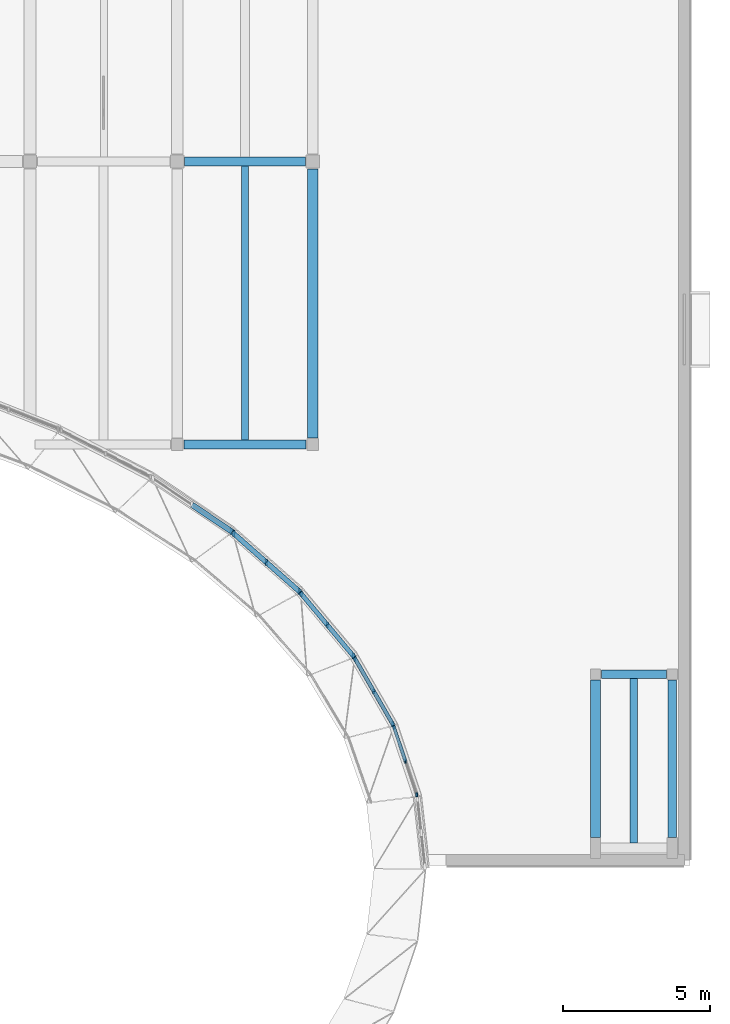
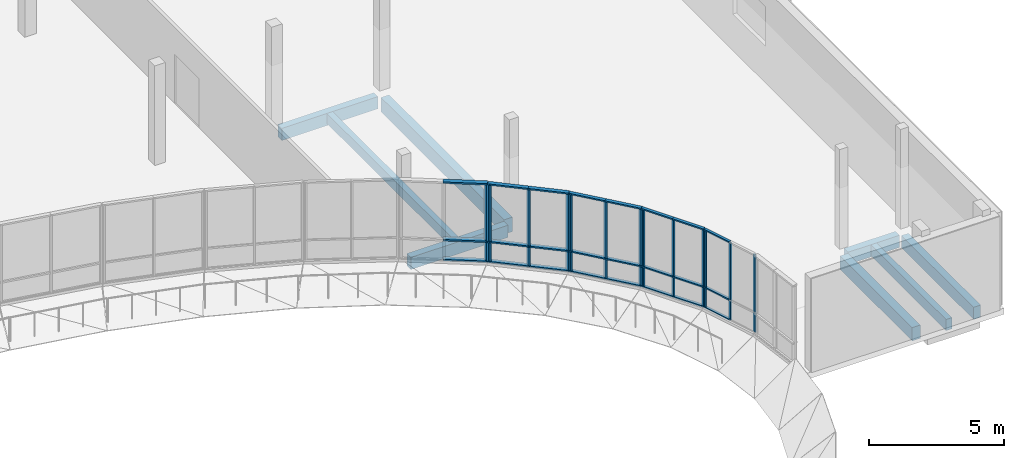
# One storey, part 16 of 41: 37 members, 8 beams, 5 elements without a shape of their own.
"""IFC4 building model written with IfcOpenShell, lengths in metres."""

from ifc_helpers import new_model, si_unit, direction, frame, origin, origin_2d, place, context, subcontext, project, spatial, rectangle, extrude, material, material_profile, profile_set, type_object, element, aggregate, save


model = new_model("IFC4")

# Units and contexts
model_context = context("Model", 3, precision=1e-05, world=origin(), true_north=direction((0.0, 1.0)))
body_context = subcontext(model_context, "Body", "Model", "MODEL_VIEW")
ifc_project = project(units=[si_unit("LENGTHUNIT", "METRE"), si_unit("AREAUNIT", "SQUARE_METRE"), si_unit("VOLUMEUNIT", "CUBIC_METRE"), si_unit("PLANEANGLEUNIT", "RADIAN"), si_unit("MASSUNIT", "GRAM", prefix="KILO")], contexts=[model_context])

# Site, building, storey
site_placement = place(None, origin())
site = spatial("IfcSite", under=ifc_project, at=site_placement, CompositionType="ELEMENT")
building_placement = place(site_placement, origin())
building = spatial("IfcBuilding", under=site, at=building_placement, Name="Mzevani Central Library", CompositionType="ELEMENT")
storey_placement = place(building_placement, frame((0.0, 0.0, 13.800048828125)))
storey = spatial("IfcBuildingStorey", under=building, at=storey_placement, Name="L03", CompositionType="ELEMENT", Elevation=13.800048828125)

# Beams
ifc_material_1 = material(Name="Concrete C35/45", Category="concrete")
ifc_material_profile_1 = material_profile(ifc_material_1, rectangle(XDim=0.300048828125, YDim=0.550048828125, at=origin_2d()), Name="RC B300x550")
ifc_profile_set_1 = profile_set([ifc_material_profile_1], Name="Concrete C35/45")
beam_type_1 = type_object("IfcBeamType", Name="Beam RC 300x550", PredefinedType="BEAM", material=ifc_profile_set_1)
beam_1_placement = place(storey_placement, frame((121.800048828125, 82.60009765625, -0.554931640625), z_axis=(1.0, 0.0, 0.0), x_axis=(0.0, 1.0, 0.0)))
element("IfcBeam", 1, at=beam_1_placement, inside=storey, type_object=beam_type_1, Name="L03 V3 Girder B-02 (633)", PredefinedType="BEAM", context=body_context, shape_type="SweptSolid", body=[
    extrude(rectangle(XDim=0.300048828125, YDim=0.550048828125, at=origin_2d()), origin(), (0.0, 0.0, 1.0), 2.199951171875),
])
beam_2_placement = place(storey_placement, frame((107.625, 90.39990234375, -0.554931640625), z_axis=(1.0, 0.0, 0.0), x_axis=(0.0, 1.0, 0.0)))
element("IfcBeam", 2, at=beam_2_placement, inside=storey, type_object=beam_type_1, Name="L03 V3 Girder B-02 (637)", PredefinedType="BEAM", context=body_context, shape_type="SweptSolid", body=[
    extrude(rectangle(XDim=0.300048828125, YDim=0.550048828125, at=origin_2d()), origin(), (0.0, 0.0, 1.0), 4.14990234375),
])
beam_3_placement = place(storey_placement, frame((107.64990234375, 100.0, -0.554931640625), z_axis=(1.0, 0.0, 0.0), x_axis=(0.0, 1.0, 0.0)))
element("IfcBeam", 3, at=beam_3_placement, inside=storey, type_object=beam_type_1, Name="L03 V3 Girder B-02 (645)", PredefinedType="BEAM", context=body_context, shape_type="SweptSolid", body=[
    extrude(rectangle(XDim=0.300048828125, YDim=0.550048828125, at=origin_2d()), origin(), (0.0, 0.0, 1.0), 4.10009765625),
])
beam_4_placement = place(storey_placement, frame((124.199951171875, 77.050048828125, -0.554931640625), z_axis=(0.0, 1.0, 0.0), x_axis=(-1.0, 0.0, 0.0)))
element("IfcBeam", 4, at=beam_4_placement, inside=storey, type_object=beam_type_1, Name="L03 V3 Frame Beam B-02 (689)", PredefinedType="BEAM", context=body_context, shape_type="SweptSolid", body=[
    extrude(rectangle(XDim=0.300048828125, YDim=0.550048828125, at=origin_2d()), origin(), (0.0, 0.0, 1.0), 5.349853515625),
])
ifc_material_profile_2 = material_profile(ifc_material_1, rectangle(XDim=0.35009765625, YDim=0.60009765625, at=origin_2d()), Name="RC B350x600")
ifc_profile_set_2 = profile_set([ifc_material_profile_2], Name="Concrete C35/45")
beam_type_2 = type_object("IfcBeamType", Name="Beam RC 350x600", PredefinedType="BEAM", material=ifc_profile_set_2)
beam_5_placement = place(storey_placement, frame((121.60009765625, 77.050048828125, -0.580078125), z_axis=(0.0, 1.0, 0.0), x_axis=(-1.0, 0.0, 0.0)))
element("IfcBeam", 5, at=beam_5_placement, inside=storey, type_object=beam_type_2, Name="L03 V3 Frame Beam B-04 (687)", PredefinedType="BEAM", context=body_context, shape_type="SweptSolid", body=[
    extrude(rectangle(XDim=0.35009765625, YDim=0.60009765625, at=origin_2d()), origin(), (0.0, 0.0, 1.0), 5.349853515625),
])
ifc_material_profile_3 = material_profile(ifc_material_1, rectangle(XDim=0.35009765625, YDim=0.64990234375, at=origin_2d()), Name="RC B350x650")
ifc_profile_set_3 = profile_set([ifc_material_profile_3], Name="Concrete C35/45")
beam_type_3 = type_object("IfcBeamType", Name="Beam RC 350x650", PredefinedType="BEAM", material=ifc_profile_set_3)
beam_6_placement = place(storey_placement, frame((112.0, 90.625, -0.60498046875), z_axis=(0.0, 1.0, 0.0), x_axis=(-1.0, 0.0, 0.0)))
element("IfcBeam", 6, at=beam_6_placement, inside=storey, type_object=beam_type_3, Name="L03 V3 Frame Beam B-05 (684)", PredefinedType="BEAM", context=body_context, shape_type="SweptSolid", body=[
    extrude(rectangle(XDim=0.35009765625, YDim=0.64990234375, at=origin_2d()), origin(), (0.0, 0.0, 1.0), 9.125),
])

# Curtain wall, members
ifc_material_2 = material(Name="Thermally broken aluminium and Low-E triple glazing", Category="aluminium")
curtain_wall_type_1 = type_object("IfcCurtainWallType", Name="Elliptical Court Unitised Curtain Wall", PredefinedType="NOTDEFINED", material=ifc_material_2)
curtain_wall_1_placement = place(storey_placement, origin())
curtain_wall_1 = element("IfcCurtainWall", 7, at=curtain_wall_1_placement, inside=storey, type_object=curtain_wall_type_1, Name="L03 Elliptical Court Curtain Wall 2", PredefinedType="NOTDEFINED")
ifc_material_3 = material(Name="Thermally broken aluminium AW-6060", Category="aluminium")
ifc_material_profile_4 = material_profile(ifc_material_3, rectangle(XDim=0.06005859375, YDim=0.139892578125, at=origin_2d()), Name="ALU M60x140")
ifc_profile_set_4 = profile_set([ifc_material_profile_4], Name="Thermally broken aluminium AW-6060")
member_type_1 = type_object("IfcMemberType", Name="CW Mullion 60x140", PredefinedType="MULLION", material=ifc_profile_set_4)
member_1_placement = place(storey_placement, frame((115.5322265625, 78.50244140625, 0.719970703125), z_axis=(0.0, 0.0, 1.0), x_axis=(1.0, 0.0, 0.0)))
member_1 = element("IfcMember", 8, at=member_1_placement, type_object=member_type_1, Name="L03 Elliptical Court Curtain Wall 2 Mullion 1", PredefinedType="MULLION", context=body_context, shape_type="SweptSolid", body=[
    extrude(rectangle(XDim=0.06005859375, YDim=0.139892578125, at=origin_2d()), origin(), (0.0, 0.0, 1.0), 3.5),
])
member_2_placement = place(storey_placement, frame((115.14501953125, 79.64892578125, 0.719970703125), z_axis=(0.0, 0.0, 1.0), x_axis=(1.0, 0.0, 0.0)))
member_2 = element("IfcMember", 9, at=member_2_placement, type_object=member_type_1, Name="L03 Elliptical Court Curtain Wall 2 Mullion 2", PredefinedType="MULLION", context=body_context, shape_type="SweptSolid", body=[
    extrude(rectangle(XDim=0.06005859375, YDim=0.139892578125, at=origin_2d()), origin(), (0.0, 0.0, 1.0), 3.5),
])
member_3_placement = place(storey_placement, frame((114.7578125, 80.79541015625, 0.719970703125), z_axis=(0.0, 0.0, 1.0), x_axis=(1.0, 0.0, 0.0)))
member_3 = element("IfcMember", 10, at=member_3_placement, type_object=member_type_1, Name="L03 Elliptical Court Curtain Wall 2 Mullion 3", PredefinedType="MULLION", context=body_context, shape_type="SweptSolid", body=[
    extrude(rectangle(XDim=0.06005859375, YDim=0.139892578125, at=origin_2d()), origin(), (0.0, 0.0, 1.0), 3.5),
])

curtain_wall_2_placement = place(storey_placement, origin())
curtain_wall_2 = element("IfcCurtainWall", 11, at=curtain_wall_2_placement, inside=storey, type_object=curtain_wall_type_1, Name="L03 Elliptical Court Curtain Wall 3", PredefinedType="NOTDEFINED")
ifc_material_profile_5 = material_profile(ifc_material_3, rectangle(XDim=0.06005859375, YDim=0.159912109375, at=origin_2d()), Name="ALU M60x160")
ifc_profile_set_5 = profile_set([ifc_material_profile_5], Name="Thermally broken aluminium AW-6060")
member_type_2 = type_object("IfcMemberType", Name="CW Mullion 60x160", PredefinedType="MULLION", material=ifc_profile_set_5)
member_4_placement = place(storey_placement, frame((114.714111328125, 80.90380859375, 0.719970703125), z_axis=(0.0, 0.0, 1.0), x_axis=(1.0, 0.0, 0.0)))
member_4 = element("IfcMember", 12, at=member_4_placement, type_object=member_type_2, Name="L03 Elliptical Court Curtain Wall 3 Mullion 1", PredefinedType="MULLION", context=body_context, shape_type="SweptSolid", body=[
    extrude(rectangle(XDim=0.06005859375, YDim=0.159912109375, at=origin_2d()), origin(), (0.0, 0.0, 1.0), 3.5),
])
member_5_placement = place(storey_placement, frame((114.07470703125, 82.01318359375, 0.719970703125), z_axis=(0.0, 0.0, 1.0), x_axis=(1.0, 0.0, 0.0)))
member_5 = element("IfcMember", 13, at=member_5_placement, type_object=member_type_2, Name="L03 Elliptical Court Curtain Wall 3 Mullion 2", PredefinedType="MULLION", context=body_context, shape_type="SweptSolid", body=[
    extrude(rectangle(XDim=0.06005859375, YDim=0.159912109375, at=origin_2d()), origin(), (0.0, 0.0, 1.0), 3.5),
])
member_6_placement = place(storey_placement, frame((113.435302734375, 83.12255859375, 0.719970703125), z_axis=(0.0, 0.0, 1.0), x_axis=(1.0, 0.0, 0.0)))
member_6 = element("IfcMember", 14, at=member_6_placement, type_object=member_type_2, Name="L03 Elliptical Court Curtain Wall 3 Mullion 3", PredefinedType="MULLION", context=body_context, shape_type="SweptSolid", body=[
    extrude(rectangle(XDim=0.06005859375, YDim=0.159912109375, at=origin_2d()), origin(), (0.0, 0.0, 1.0), 3.5),
])

curtain_wall_type_2 = type_object("IfcCurtainWallType", Name="Reading Hall Northlight Curtain Wall", PredefinedType="NOTDEFINED", material=ifc_material_2)
curtain_wall_3_placement = place(storey_placement, origin())
curtain_wall_3 = element("IfcCurtainWall", 15, at=curtain_wall_3_placement, inside=storey, type_object=curtain_wall_type_2, Name="L03 Elliptical Court Curtain Wall 4", PredefinedType="NOTDEFINED")
ifc_material_profile_6 = material_profile(ifc_material_3, rectangle(XDim=0.06005859375, YDim=0.179931640625, at=origin_2d()), Name="ALU M60x180")
ifc_profile_set_6 = profile_set([ifc_material_profile_6], Name="Thermally broken aluminium AW-6060")
member_type_3 = type_object("IfcMemberType", Name="CW Mullion 60x180", PredefinedType="MULLION", material=ifc_profile_set_6)
member_7_placement = place(storey_placement, frame((113.373779296875, 83.222412109375, 0.719970703125), z_axis=(0.0, 0.0, 1.0), x_axis=(1.0, 0.0, 0.0)))
member_7 = element("IfcMember", 16, at=member_7_placement, type_object=member_type_3, Name="L03 Elliptical Court Curtain Wall 4 Mullion 1", PredefinedType="MULLION", context=body_context, shape_type="SweptSolid", body=[
    extrude(rectangle(XDim=0.06005859375, YDim=0.179931640625, at=origin_2d()), origin(), (0.0, 0.0, 1.0), 3.5),
])
member_8_placement = place(storey_placement, frame((112.49169921875, 84.275634765625, 0.719970703125), z_axis=(0.0, 0.0, 1.0), x_axis=(1.0, 0.0, 0.0)))
member_8 = element("IfcMember", 17, at=member_8_placement, type_object=member_type_3, Name="L03 Elliptical Court Curtain Wall 4 Mullion 2", PredefinedType="MULLION", context=body_context, shape_type="SweptSolid", body=[
    extrude(rectangle(XDim=0.06005859375, YDim=0.179931640625, at=origin_2d()), origin(), (0.0, 0.0, 1.0), 3.5),
])
member_9_placement = place(storey_placement, frame((111.60986328125, 85.3291015625, 0.719970703125), z_axis=(0.0, 0.0, 1.0), x_axis=(1.0, 0.0, 0.0)))
member_9 = element("IfcMember", 18, at=member_9_placement, type_object=member_type_3, Name="L03 Elliptical Court Curtain Wall 4 Mullion 3", PredefinedType="MULLION", context=body_context, shape_type="SweptSolid", body=[
    extrude(rectangle(XDim=0.06005859375, YDim=0.179931640625, at=origin_2d()), origin(), (0.0, 0.0, 1.0), 3.5),
])

curtain_wall_4_placement = place(storey_placement, origin())
curtain_wall_4 = element("IfcCurtainWall", 19, at=curtain_wall_4_placement, inside=storey, type_object=curtain_wall_type_1, Name="L03 Elliptical Court Curtain Wall 5", PredefinedType="NOTDEFINED")
ifc_material_profile_7 = material_profile(ifc_material_3, rectangle(XDim=0.06494140625, YDim=0.199951171875, at=origin_2d()), Name="ALU M65x200")
ifc_profile_set_7 = profile_set([ifc_material_profile_7], Name="Thermally broken aluminium AW-6060")
member_type_4 = type_object("IfcMemberType", Name="CW Mullion 65x200", PredefinedType="MULLION", material=ifc_profile_set_7)
member_10_placement = place(storey_placement, frame((111.53369140625, 85.419677734375, 0.719970703125), z_axis=(0.0, 0.0, 1.0), x_axis=(1.0, 0.0, 0.0)))
member_10 = element("IfcMember", 20, at=member_10_placement, type_object=member_type_4, Name="L03 Elliptical Court Curtain Wall 5 Mullion 1", PredefinedType="MULLION", context=body_context, shape_type="SweptSolid", body=[
    extrude(rectangle(XDim=0.06494140625, YDim=0.199951171875, at=origin_2d()), origin(), (0.0, 0.0, 1.0), 3.5),
])
member_11_placement = place(storey_placement, frame((110.4228515625, 86.39892578125, 0.719970703125), z_axis=(0.0, 0.0, 1.0), x_axis=(1.0, 0.0, 0.0)))
member_11 = element("IfcMember", 21, at=member_11_placement, type_object=member_type_4, Name="L03 Elliptical Court Curtain Wall 5 Mullion 2", PredefinedType="MULLION", context=body_context, shape_type="SweptSolid", body=[
    extrude(rectangle(XDim=0.06494140625, YDim=0.199951171875, at=origin_2d()), origin(), (0.0, 0.0, 1.0), 3.5),
])
member_12_placement = place(storey_placement, frame((109.312255859375, 87.3779296875, 0.719970703125), z_axis=(0.0, 0.0, 1.0), x_axis=(1.0, 0.0, 0.0)))
member_12 = element("IfcMember", 22, at=member_12_placement, type_object=member_type_4, Name="L03 Elliptical Court Curtain Wall 5 Mullion 3", PredefinedType="MULLION", context=body_context, shape_type="SweptSolid", body=[
    extrude(rectangle(XDim=0.06494140625, YDim=0.199951171875, at=origin_2d()), origin(), (0.0, 0.0, 1.0), 3.5),
])

# Curtain wall, member
curtain_wall_5_placement = place(storey_placement, origin())
curtain_wall_5 = element("IfcCurtainWall", 23, at=curtain_wall_5_placement, inside=storey, type_object=curtain_wall_type_1, Name="L03 Elliptical Court Curtain Wall 6", PredefinedType="NOTDEFINED")
ifc_material_profile_8 = material_profile(ifc_material_3, rectangle(XDim=0.070068359375, YDim=0.219970703125, at=origin_2d()), Name="ALU M70x220")
ifc_profile_set_8 = profile_set([ifc_material_profile_8], Name="Thermally broken aluminium AW-6060")
member_type_5 = type_object("IfcMemberType", Name="CW Mullion 70x220", PredefinedType="MULLION", material=ifc_profile_set_8)
member_13_placement = place(storey_placement, frame((109.223876953125, 87.459228515625, 0.719970703125), z_axis=(0.0, 0.0, 1.0), x_axis=(1.0, 0.0, 0.0)))
member_13 = element("IfcMember", 24, at=member_13_placement, type_object=member_type_5, Name="L03 Elliptical Court Curtain Wall 6 Mullion 1", PredefinedType="MULLION", context=body_context, shape_type="SweptSolid", body=[
    extrude(rectangle(XDim=0.070068359375, YDim=0.219970703125, at=origin_2d()), origin(), (0.0, 0.0, 1.0), 3.5),
])

# Member
ifc_material_profile_9 = material_profile(ifc_material_3, rectangle(XDim=0.110107421875, YDim=0.06005859375, at=origin_2d()), Name="ALU T60x110")
ifc_profile_set_9 = profile_set([ifc_material_profile_9], Name="Thermally broken aluminium AW-6060")
member_type_6 = type_object("IfcMemberType", Name="CW Transom 60x110", PredefinedType="USERDEFINED", material=ifc_profile_set_9)
member_14_placement = place(storey_placement, frame((115.14501953125, 79.64892578125, 0.719970703125), z_axis=(-0.320061266141, 0.947396847111, 0.0), x_axis=(-0.947396847111, -0.320061266141, 0.0)))
member_14 = element("IfcMember", 25, at=member_14_placement, type_object=member_type_6, Name="L03 Elliptical Court Curtain Wall 2 Transom 4", ObjectType="TRANSOM", PredefinedType="USERDEFINED", context=body_context, shape_type="SweptSolid", body=[
    extrude(rectangle(XDim=0.110107421875, YDim=0.06005859375, at=origin_2d()), origin(), (0.0, 0.0, 1.0), 1.26025390625),
])

member_15_placement = place(storey_placement, frame((115.14501953125, 79.64892578125, 1.619873046875), z_axis=(-0.320061266141, 0.947396847111, 0.0), x_axis=(-0.947396847111, -0.320061266141, 0.0)))
member_15 = element("IfcMember", 26, at=member_15_placement, type_object=member_type_6, Name="L03 Elliptical Court Curtain Wall 2 Transom 5", ObjectType="TRANSOM", PredefinedType="USERDEFINED", context=body_context, shape_type="SweptSolid", body=[
    extrude(rectangle(XDim=0.110107421875, YDim=0.06005859375, at=origin_2d()), origin(), (0.0, 0.0, 1.0), 1.26025390625),
])

member_16_placement = place(storey_placement, frame((115.14501953125, 79.64892578125, 4.219970703125), z_axis=(-0.320061266141, 0.947396847111, 0.0), x_axis=(-0.947396847111, -0.320061266141, 0.0)))
member_16 = element("IfcMember", 27, at=member_16_placement, type_object=member_type_6, Name="L03 Elliptical Court Curtain Wall 2 Transom 6", ObjectType="TRANSOM", PredefinedType="USERDEFINED", context=body_context, shape_type="SweptSolid", body=[
    extrude(rectangle(XDim=0.110107421875, YDim=0.06005859375, at=origin_2d()), origin(), (0.0, 0.0, 1.0), 1.26025390625),
])

aggregate(curtain_wall_1, [member_1, member_2, member_3, member_14, member_15, member_16])

ifc_material_profile_10 = material_profile(ifc_material_3, rectangle(XDim=0.1298828125, YDim=0.06005859375, at=origin_2d()), Name="ALU T60x130")
ifc_profile_set_10 = profile_set([ifc_material_profile_10], Name="Thermally broken aluminium AW-6060")
member_type_7 = type_object("IfcMemberType", Name="CW Transom 60x130", PredefinedType="USERDEFINED", material=ifc_profile_set_10)
member_17_placement = place(storey_placement, frame((114.739013671875, 80.8603515625, 0.719970703125), z_axis=(-0.499277611559, 0.866442073422, 0.0), x_axis=(-0.866442073422, -0.499277611559, 0.0)))
member_17 = element("IfcMember", 28, at=member_17_placement, type_object=member_type_7, Name="L03 Elliptical Court Curtain Wall 3 Transom 1", ObjectType="TRANSOM", PredefinedType="USERDEFINED", context=body_context, shape_type="SweptSolid", body=[
    extrude(rectangle(XDim=0.1298828125, YDim=0.06005859375, at=origin_2d()), origin(), (0.0, 0.0, 1.0), 1.33056640625),
])

member_18_placement = place(storey_placement, frame((114.739013671875, 80.8603515625, 1.619873046875), z_axis=(-0.499277611559, 0.866442073422, 0.0), x_axis=(-0.866442073422, -0.499277611559, 0.0)))
member_18 = element("IfcMember", 29, at=member_18_placement, type_object=member_type_7, Name="L03 Elliptical Court Curtain Wall 3 Transom 2", ObjectType="TRANSOM", PredefinedType="USERDEFINED", context=body_context, shape_type="SweptSolid", body=[
    extrude(rectangle(XDim=0.1298828125, YDim=0.06005859375, at=origin_2d()), origin(), (0.0, 0.0, 1.0), 1.33056640625),
])

member_19_placement = place(storey_placement, frame((114.739013671875, 80.8603515625, 4.219970703125), z_axis=(-0.499277611559, 0.866442073422, 0.0), x_axis=(-0.866442073422, -0.499277611559, 0.0)))
member_19 = element("IfcMember", 30, at=member_19_placement, type_object=member_type_7, Name="L03 Elliptical Court Curtain Wall 3 Transom 3", ObjectType="TRANSOM", PredefinedType="USERDEFINED", context=body_context, shape_type="SweptSolid", body=[
    extrude(rectangle(XDim=0.1298828125, YDim=0.06005859375, at=origin_2d()), origin(), (0.0, 0.0, 1.0), 1.33056640625),
])

member_20_placement = place(storey_placement, frame((114.07470703125, 82.01318359375, 0.719970703125), z_axis=(-0.499356999175, 0.866396322346, 0.0), x_axis=(-0.866396322346, -0.499356999175, 0.0)))
member_20 = element("IfcMember", 31, at=member_20_placement, type_object=member_type_7, Name="L03 Elliptical Court Curtain Wall 3 Transom 4", ObjectType="TRANSOM", PredefinedType="USERDEFINED", context=body_context, shape_type="SweptSolid", body=[
    extrude(rectangle(XDim=0.1298828125, YDim=0.06005859375, at=origin_2d()), origin(), (0.0, 0.0, 1.0), 1.330322265625),
])

member_21_placement = place(storey_placement, frame((114.07470703125, 82.01318359375, 1.619873046875), z_axis=(-0.499356999175, 0.866396322346, 0.0), x_axis=(-0.866396322346, -0.499356999175, 0.0)))
member_21 = element("IfcMember", 32, at=member_21_placement, type_object=member_type_7, Name="L03 Elliptical Court Curtain Wall 3 Transom 5", ObjectType="TRANSOM", PredefinedType="USERDEFINED", context=body_context, shape_type="SweptSolid", body=[
    extrude(rectangle(XDim=0.1298828125, YDim=0.06005859375, at=origin_2d()), origin(), (0.0, 0.0, 1.0), 1.330322265625),
])

member_22_placement = place(storey_placement, frame((114.07470703125, 82.01318359375, 4.219970703125), z_axis=(-0.499356999175, 0.866396322346, 0.0), x_axis=(-0.866396322346, -0.499356999175, 0.0)))
member_22 = element("IfcMember", 33, at=member_22_placement, type_object=member_type_7, Name="L03 Elliptical Court Curtain Wall 3 Transom 6", ObjectType="TRANSOM", PredefinedType="USERDEFINED", context=body_context, shape_type="SweptSolid", body=[
    extrude(rectangle(XDim=0.1298828125, YDim=0.06005859375, at=origin_2d()), origin(), (0.0, 0.0, 1.0), 1.330322265625),
])

aggregate(curtain_wall_2, [member_4, member_5, member_6, member_17, member_18, member_19, member_20, member_21, member_22])

ifc_material_profile_11 = material_profile(ifc_material_3, rectangle(XDim=0.14990234375, YDim=0.06005859375, at=origin_2d()), Name="ALU T60x150")
ifc_profile_set_11 = profile_set([ifc_material_profile_11], Name="Thermally broken aluminium AW-6060")
member_type_8 = type_object("IfcMemberType", Name="CW Transom 60x150", PredefinedType="USERDEFINED", material=ifc_profile_set_11)
member_23_placement = place(storey_placement, frame((113.406005859375, 83.18408203125, 0.719970703125), z_axis=(-0.642121837535, 0.766602599631, 0.0), x_axis=(-0.766602599631, -0.642121837535, 0.0)))
member_23 = element("IfcMember", 34, at=member_23_placement, type_object=member_type_8, Name="L03 Elliptical Court Curtain Wall 4 Transom 1", ObjectType="TRANSOM", PredefinedType="USERDEFINED", context=body_context, shape_type="SweptSolid", body=[
    extrude(rectangle(XDim=0.14990234375, YDim=0.06005859375, at=origin_2d()), origin(), (0.0, 0.0, 1.0), 1.423828125),
])

member_24_placement = place(storey_placement, frame((113.406005859375, 83.18408203125, 1.619873046875), z_axis=(-0.642121837535, 0.766602599631, 0.0), x_axis=(-0.766602599631, -0.642121837535, 0.0)))
member_24 = element("IfcMember", 35, at=member_24_placement, type_object=member_type_8, Name="L03 Elliptical Court Curtain Wall 4 Transom 2", ObjectType="TRANSOM", PredefinedType="USERDEFINED", context=body_context, shape_type="SweptSolid", body=[
    extrude(rectangle(XDim=0.14990234375, YDim=0.06005859375, at=origin_2d()), origin(), (0.0, 0.0, 1.0), 1.423828125),
])

member_25_placement = place(storey_placement, frame((113.406005859375, 83.18408203125, 4.219970703125), z_axis=(-0.642121837535, 0.766602599631, 0.0), x_axis=(-0.766602599631, -0.642121837535, 0.0)))
member_25 = element("IfcMember", 36, at=member_25_placement, type_object=member_type_8, Name="L03 Elliptical Court Curtain Wall 4 Transom 3", ObjectType="TRANSOM", PredefinedType="USERDEFINED", context=body_context, shape_type="SweptSolid", body=[
    extrude(rectangle(XDim=0.14990234375, YDim=0.06005859375, at=origin_2d()), origin(), (0.0, 0.0, 1.0), 1.423828125),
])

member_26_placement = place(storey_placement, frame((112.49169921875, 84.275634765625, 0.719970703125), z_axis=(-0.641936656459, 0.766757672993, 0.0), x_axis=(-0.766757672993, -0.641936656459, 0.0)))
member_26 = element("IfcMember", 37, at=member_26_placement, type_object=member_type_8, Name="L03 Elliptical Court Curtain Wall 4 Transom 4", ObjectType="TRANSOM", PredefinedType="USERDEFINED", context=body_context, shape_type="SweptSolid", body=[
    extrude(rectangle(XDim=0.14990234375, YDim=0.06005859375, at=origin_2d()), origin(), (0.0, 0.0, 1.0), 1.423828125),
])

member_27_placement = place(storey_placement, frame((112.49169921875, 84.275634765625, 1.619873046875), z_axis=(-0.641936656459, 0.766757672993, 0.0), x_axis=(-0.766757672993, -0.641936656459, 0.0)))
member_27 = element("IfcMember", 38, at=member_27_placement, type_object=member_type_8, Name="L03 Elliptical Court Curtain Wall 4 Transom 5", ObjectType="TRANSOM", PredefinedType="USERDEFINED", context=body_context, shape_type="SweptSolid", body=[
    extrude(rectangle(XDim=0.14990234375, YDim=0.06005859375, at=origin_2d()), origin(), (0.0, 0.0, 1.0), 1.423828125),
])

member_28_placement = place(storey_placement, frame((112.49169921875, 84.275634765625, 4.219970703125), z_axis=(-0.641936656459, 0.766757672993, 0.0), x_axis=(-0.766757672993, -0.641936656459, 0.0)))
member_28 = element("IfcMember", 39, at=member_28_placement, type_object=member_type_8, Name="L03 Elliptical Court Curtain Wall 4 Transom 6", ObjectType="TRANSOM", PredefinedType="USERDEFINED", context=body_context, shape_type="SweptSolid", body=[
    extrude(rectangle(XDim=0.14990234375, YDim=0.06005859375, at=origin_2d()), origin(), (0.0, 0.0, 1.0), 1.423828125),
])

aggregate(curtain_wall_3, [member_7, member_8, member_9, member_23, member_24, member_25, member_26, member_27, member_28])

ifc_material_profile_12 = material_profile(ifc_material_3, rectangle(XDim=0.169921875, YDim=0.06494140625, at=origin_2d()), Name="ALU T65x170")
ifc_profile_set_12 = profile_set([ifc_material_profile_12], Name="Thermally broken aluminium AW-6060")
member_type_9 = type_object("IfcMemberType", Name="CW Transom 65x170", PredefinedType="USERDEFINED", material=ifc_profile_set_12)
member_29_placement = place(storey_placement, frame((111.571044921875, 85.38671875, 0.719970703125), z_axis=(-0.750131026865, 0.661289227596, 0.0), x_axis=(-0.661289227596, -0.750131026865, 0.0)))
member_29 = element("IfcMember", 40, at=member_29_placement, type_object=member_type_9, Name="L03 Elliptical Court Curtain Wall 5 Transom 1", ObjectType="TRANSOM", PredefinedType="USERDEFINED", context=body_context, shape_type="SweptSolid", body=[
    extrude(rectangle(XDim=0.169921875, YDim=0.06494140625, at=origin_2d()), origin(), (0.0, 0.0, 1.0), 1.53076171875),
])

member_30_placement = place(storey_placement, frame((111.571044921875, 85.38671875, 1.619873046875), z_axis=(-0.750131026865, 0.661289227596, 0.0), x_axis=(-0.661289227596, -0.750131026865, 0.0)))
member_30 = element("IfcMember", 41, at=member_30_placement, type_object=member_type_9, Name="L03 Elliptical Court Curtain Wall 5 Transom 2", ObjectType="TRANSOM", PredefinedType="USERDEFINED", context=body_context, shape_type="SweptSolid", body=[
    extrude(rectangle(XDim=0.169921875, YDim=0.06494140625, at=origin_2d()), origin(), (0.0, 0.0, 1.0), 1.53076171875),
])

member_31_placement = place(storey_placement, frame((111.571044921875, 85.38671875, 4.219970703125), z_axis=(-0.750131026865, 0.661289227596, 0.0), x_axis=(-0.661289227596, -0.750131026865, 0.0)))
member_31 = element("IfcMember", 42, at=member_31_placement, type_object=member_type_9, Name="L03 Elliptical Court Curtain Wall 5 Transom 3", ObjectType="TRANSOM", PredefinedType="USERDEFINED", context=body_context, shape_type="SweptSolid", body=[
    extrude(rectangle(XDim=0.169921875, YDim=0.06494140625, at=origin_2d()), origin(), (0.0, 0.0, 1.0), 1.53076171875),
])

member_32_placement = place(storey_placement, frame((110.4228515625, 86.39892578125, 0.719970703125), z_axis=(-0.750210150651, 0.661199462991, 0.0), x_axis=(-0.661199462991, -0.750210150651, 0.0)))
member_32 = element("IfcMember", 43, at=member_32_placement, type_object=member_type_9, Name="L03 Elliptical Court Curtain Wall 5 Transom 4", ObjectType="TRANSOM", PredefinedType="USERDEFINED", context=body_context, shape_type="SweptSolid", body=[
    extrude(rectangle(XDim=0.169921875, YDim=0.06494140625, at=origin_2d()), origin(), (0.0, 0.0, 1.0), 1.530517578125),
])

member_33_placement = place(storey_placement, frame((110.4228515625, 86.39892578125, 1.619873046875), z_axis=(-0.750210150651, 0.661199462991, 0.0), x_axis=(-0.661199462991, -0.750210150651, 0.0)))
member_33 = element("IfcMember", 44, at=member_33_placement, type_object=member_type_9, Name="L03 Elliptical Court Curtain Wall 5 Transom 5", ObjectType="TRANSOM", PredefinedType="USERDEFINED", context=body_context, shape_type="SweptSolid", body=[
    extrude(rectangle(XDim=0.169921875, YDim=0.06494140625, at=origin_2d()), origin(), (0.0, 0.0, 1.0), 1.530517578125),
])

member_34_placement = place(storey_placement, frame((110.4228515625, 86.39892578125, 4.219970703125), z_axis=(-0.750210150651, 0.661199462991, 0.0), x_axis=(-0.661199462991, -0.750210150651, 0.0)))
member_34 = element("IfcMember", 45, at=member_34_placement, type_object=member_type_9, Name="L03 Elliptical Court Curtain Wall 5 Transom 6", ObjectType="TRANSOM", PredefinedType="USERDEFINED", context=body_context, shape_type="SweptSolid", body=[
    extrude(rectangle(XDim=0.169921875, YDim=0.06494140625, at=origin_2d()), origin(), (0.0, 0.0, 1.0), 1.530517578125),
])

aggregate(curtain_wall_4, [member_10, member_11, member_12, member_29, member_30, member_31, member_32, member_33, member_34])

ifc_material_profile_13 = material_profile(ifc_material_3, rectangle(XDim=0.18994140625, YDim=0.070068359375, at=origin_2d()), Name="ALU T70x190")
ifc_profile_set_13 = profile_set([ifc_material_profile_13], Name="Thermally broken aluminium AW-6060")
member_type_10 = type_object("IfcMemberType", Name="CW Transom 70x190", PredefinedType="USERDEFINED", material=ifc_profile_set_13)
member_35_placement = place(storey_placement, frame((109.265380859375, 87.431396484375, 0.719970703125), z_axis=(-0.83014639811, 0.557545475907, 0.0), x_axis=(-0.557545475907, -0.83014639811, 0.0)))
member_35 = element("IfcMember", 46, at=member_35_placement, type_object=member_type_10, Name="L03 Elliptical Court Curtain Wall 6 Transom 1", ObjectType="TRANSOM", PredefinedType="USERDEFINED", context=body_context, shape_type="SweptSolid", body=[
    extrude(rectangle(XDim=0.18994140625, YDim=0.070068359375, at=origin_2d()), origin(), (0.0, 0.0, 1.0), 1.6416015625),
])

member_36_placement = place(storey_placement, frame((109.265380859375, 87.431396484375, 1.619873046875), z_axis=(-0.83014639811, 0.557545475907, 0.0), x_axis=(-0.557545475907, -0.83014639811, 0.0)))
member_36 = element("IfcMember", 47, at=member_36_placement, type_object=member_type_10, Name="L03 Elliptical Court Curtain Wall 6 Transom 2", ObjectType="TRANSOM", PredefinedType="USERDEFINED", context=body_context, shape_type="SweptSolid", body=[
    extrude(rectangle(XDim=0.18994140625, YDim=0.070068359375, at=origin_2d()), origin(), (0.0, 0.0, 1.0), 1.6416015625),
])

member_37_placement = place(storey_placement, frame((109.265380859375, 87.431396484375, 4.219970703125), z_axis=(-0.83014639811, 0.557545475907, 0.0), x_axis=(-0.557545475907, -0.83014639811, 0.0)))
member_37 = element("IfcMember", 48, at=member_37_placement, type_object=member_type_10, Name="L03 Elliptical Court Curtain Wall 6 Transom 3", ObjectType="TRANSOM", PredefinedType="USERDEFINED", context=body_context, shape_type="SweptSolid", body=[
    extrude(rectangle(XDim=0.18994140625, YDim=0.070068359375, at=origin_2d()), origin(), (0.0, 0.0, 1.0), 1.6416015625),
])

aggregate(curtain_wall_5, [member_13, member_35, member_36, member_37])

# Beams
ifc_material_profile_14 = material_profile(ifc_material_1, rectangle(XDim=0.25, YDim=0.449951171875, at=origin_2d()), Name="RC J250x450")
ifc_profile_set_14 = profile_set([ifc_material_profile_14], Name="Concrete C35/45")
beam_type_4 = type_object("IfcBeamType", Name="Floor Joist RC 250x450", PredefinedType="JOIST", material=ifc_profile_set_14)
beam_7_placement = place(storey_placement, frame((109.699951171875, 90.550048828125, -0.505126953125), z_axis=(0.0, 1.0, 0.0), x_axis=(-1.0, 0.0, 0.0)))
element("IfcBeam", 49, at=beam_7_placement, inside=storey, type_object=beam_type_4, Name="L03 V3 Floor Joist BJ-01 (696)", PredefinedType="JOIST", context=body_context, shape_type="SweptSolid", body=[
    extrude(rectangle(XDim=0.25, YDim=0.449951171875, at=origin_2d()), origin(), (0.0, 0.0, 1.0), 9.300048828125),
])
ifc_material_profile_15 = material_profile(ifc_material_1, rectangle(XDim=0.25, YDim=0.5, at=origin_2d()), Name="RC J250x500")
ifc_profile_set_15 = profile_set([ifc_material_profile_15], Name="Concrete C35/45")
beam_type_5 = type_object("IfcBeamType", Name="Floor Joist RC 250x500", PredefinedType="JOIST", material=ifc_profile_set_15)
beam_8_placement = place(storey_placement, frame((122.89990234375, 76.875, -0.530029296875), z_axis=(0.0, 1.0, 0.0), x_axis=(-1.0, 0.0, 0.0)))
element("IfcBeam", 50, at=beam_8_placement, inside=storey, type_object=beam_type_5, Name="L03 V3 Floor Joist BJ-02 (691)", PredefinedType="JOIST", context=body_context, shape_type="SweptSolid", body=[
    extrude(rectangle(XDim=0.25, YDim=0.5, at=origin_2d()), origin(), (0.0, 0.0, 1.0), 5.574951171875),
])

save(model, "model.ifc")
